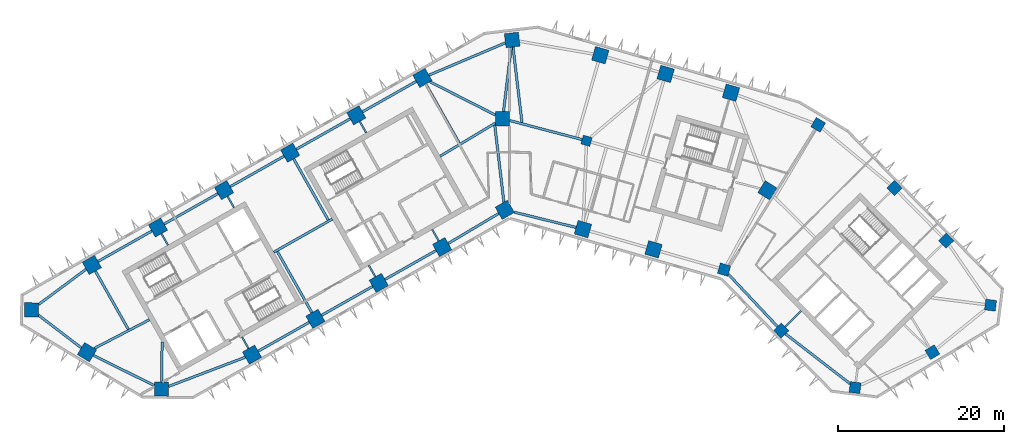
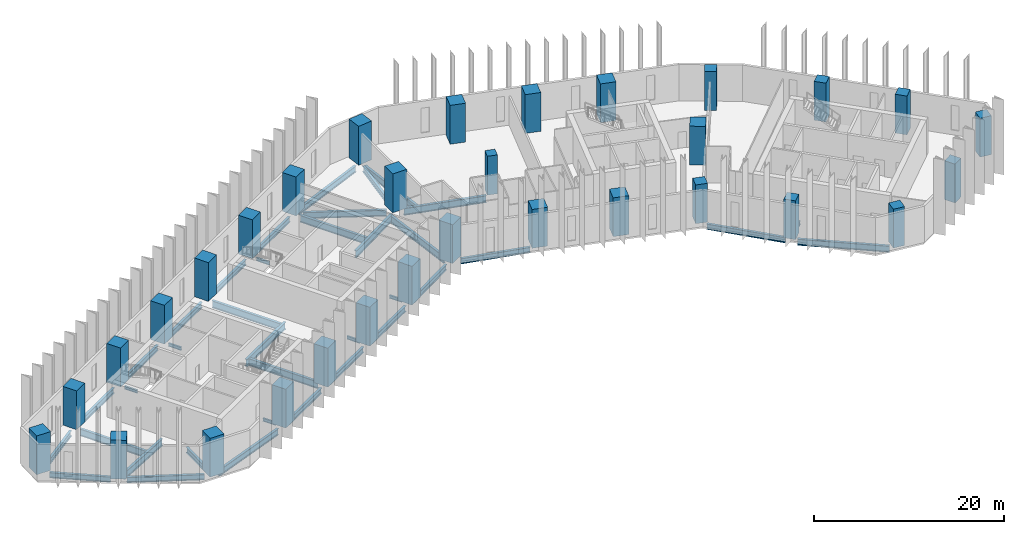
# One storey, part 1 of 11: 37 beams, 31 columns.
"""IFC4 building model written with IfcOpenShell, lengths in metres."""

from ifc_helpers import new_model, si_unit, direction, frame, origin, origin_2d, place, context, subcontext, project, spatial, rectangle, i_section, extrude, material, material_profile, profile_set, type_object, element, save


model = new_model("IFC4")

# Units and contexts
model_context = context("Model", 3, precision=1e-05, world=origin(), true_north=direction((0.0, 1.0)))
body_context = subcontext(model_context, "Body", "Model", "MODEL_VIEW")
ifc_project = project(units=[si_unit("LENGTHUNIT", "METRE"), si_unit("AREAUNIT", "SQUARE_METRE"), si_unit("VOLUMEUNIT", "CUBIC_METRE"), si_unit("PLANEANGLEUNIT", "RADIAN"), si_unit("MASSUNIT", "GRAM", prefix="KILO")], contexts=[model_context])

# Site, building, storey
site_placement = place(None, origin())
site = spatial("IfcSite", under=ifc_project, at=site_placement, CompositionType="ELEMENT")
building_placement = place(site_placement, origin())
building = spatial("IfcBuilding", under=site, at=building_placement, Name="Binnacle Exchange Tower", CompositionType="ELEMENT")
storey_placement = place(building_placement, frame((0.0, 0.0, 66.5)))
storey = spatial("IfcBuildingStorey", under=building, at=storey_placement, Name="L13", CompositionType="ELEMENT", Elevation=66.5)

# Columns
ifc_material_1 = material(Name="Concrete C60/75", Category="concrete")
ifc_material_profile_1 = material_profile(ifc_material_1, rectangle(XDim=1.10009765625, YDim=1.10009765625, at=origin_2d()), Name="Column 1100x1100 C60/75")
ifc_profile_set_1 = profile_set([ifc_material_profile_1], Name="Concrete C60/75")
column_type_1 = type_object("IfcColumnType", Name="Column 1100x1100 C60/75", PredefinedType="COLUMN", material=ifc_profile_set_1)
column_placement = place(storey_placement, frame((9.240966796875, 57.35009765625, 0.0), z_axis=(0.0, 0.0, 1.0), x_axis=(0.961261695938, -0.275637355817, 0.0)))
element("IfcColumn", 1, at=column_placement, inside=storey, type_object=column_type_1, Name="S:COL:C19:L13", PredefinedType="COLUMN", context=body_context, shape_type="SweptSolid", body=[
    extrude(rectangle(XDim=1.10009765625, YDim=1.10009765625, at=origin_2d()), origin(), (0.0, 0.0, 1.0), 5.0),
])
ifc_material_2 = material(Name="Concrete C70/85", Category="concrete")
ifc_material_profile_2 = material_profile(ifc_material_2, rectangle(XDim=1.300048828125, YDim=1.300048828125, at=origin_2d()), Name="Mega column 1300x1300 C70/85")
ifc_profile_set_2 = profile_set([ifc_material_profile_2], Name="Concrete C70/85")
column_type_2 = type_object("IfcColumnType", Name="Mega column 1300x1300 C70/85", PredefinedType="COLUMN", material=ifc_profile_set_2)
for number, where, z_axis, x_axis, name in (
    (2, (37.0849609375, 59.262451171875, 0.0), (0.0, 0.0, 1.0), (-0.859406411501, 0.511293086077, 0.0), "S:COL:MC57:L13"),
    (3, (25.766845703125, 41.85986328125, 0.0), (0.0, 0.0, 1.0), (0.961261695938, -0.275637355817, 0.0), "S:COL:MC56:L13"),
    (4, (32.64111328125, 34.530029296875, 0.0), (0.0, 0.0, 1.0), (0.7009092643, -0.713250449154, 0.0), "S:COL:MC59:L13"),
    (5, (41.519775390625, 27.6748046875, 0.0), (0.0, 0.0, 1.0), (0.99200494968, -0.126198969136, 0.0), "S:COL:MC61:L13"),
    (6, (50.81201171875, 31.930908203125, 0.0), (0.0, 0.0, 1.0), (0.857167300702, 0.51503807491, 0.0), "S:COL:MC63:L13"),
    (7, (57.799072265625, 37.5810546875, 0.0), (0.0, 0.0, 1.0), (0.126198969136, 0.99200494968, 0.0), "S:COL:MC62:L13"),
    (8, (52.466796875, 45.33935546875, 0.0), (0.0, 0.0, 1.0), (-0.7009092643, 0.713250449154, 0.0), "S:COL:MC60:L13"),
    (9, (46.248291015625, 51.667236328125, 0.0), (0.0, 0.0, 1.0), (-0.7009092643, 0.713250449154, 0.0), "S:COL:MC58:L13"),
):
    element("IfcColumn", number, at=place(storey_placement, frame(where, z_axis=z_axis, x_axis=x_axis)), inside=storey, type_object=column_type_2, Name=name, PredefinedType="COLUMN", context=body_context, shape_type="SweptSolid", body=[
        extrude(rectangle(XDim=1.300048828125, YDim=1.300048828125, at=origin_2d()), origin(), (0.0, 0.0, 1.0), 5.0),
    ])
ifc_material_profile_3 = material_profile(ifc_material_2, rectangle(XDim=1.699951171875, YDim=1.699951171875, at=origin_2d()), Name="Mega column 1700x1700 C70/85")
ifc_profile_set_3 = profile_set([ifc_material_profile_3], Name="Concrete C70/85")
column_type_3 = type_object("IfcColumnType", Name="Mega column 1700x1700 C70/85", PredefinedType="COLUMN", material=ifc_profile_set_3)
for number, where, z_axis, x_axis, name in (
    (10, (26.602783203125, 63.12353515625, 0.0), (0.0, 0.0, 1.0), (-0.961261695938, 0.275637355817, 0.0), "S:COL:MC52:L13"),
    (11, (18.746337890625, 65.376220703125, 0.0), (0.0, 0.0, 1.0), (-0.961261695938, 0.275637355817, 0.0), "S:COL:MC50:L13"),
    (12, (10.889892578125, 67.62890625, 0.0), (0.0, 0.0, 1.0), (-0.961261695938, 0.275637355817, 0.0), "S:COL:MC48:L13"),
    (13, (0.300048828125, 69.464111328125, 0.0), (0.0, 0.0, 1.0), (-0.993068456955, -0.117537397458, 0.0), "S:COL:MC47:L13"),
    (14, (-10.4951171875, 64.901611328125, 0.0), (0.0, 0.0, 1.0), (-0.87035569594, -0.492423560103, 0.0), "S:COL:MC38:L13"),
    (15, (-18.44140625, 60.406005859375, 0.0), (0.0, 0.0, 1.0), (-0.87035569594, -0.492423560103, 0.0), "S:COL:MC29:L13"),
    (16, (-26.3876953125, 55.91015625, 0.0), (0.0, 0.0, 1.0), (-0.87035569594, -0.492423560103, 0.0), "S:COL:MC21:L13"),
    (17, (-34.333740234375, 51.414306640625, 0.0), (0.0, 0.0, 1.0), (-0.87035569594, -0.492423560103, 0.0), "S:COL:MC13:L13"),
    (18, (-42.280029296875, 46.918701171875, 0.0), (0.0, 0.0, 1.0), (-0.87035569594, -0.492423560103, 0.0), "S:COL:MC08:L13"),
    (19, (-50.226318359375, 42.4228515625, 0.0), (0.0, 0.0, 1.0), (-0.87035569594, -0.492423560103, 0.0), "S:COL:MC04:L13"),
    (20, (-57.492919921875, 37.02734375, 0.0), (0.0, 0.0, 1.0), (-0.013089595571, -0.999914327574, 0.0), "S:COL:MC02:L13"),
    (21, (-50.81201171875, 31.930908203125, 0.0), (0.0, 0.0, 1.0), (0.857167300702, -0.51503807491, 0.0), "S:COL:MC01:L13"),
    (22, (-41.857666015625, 27.494873046875, 0.0), (0.0, 0.0, 1.0), (0.999914327574, -0.013089595571, 0.0), "S:COL:MC03:L13"),
    (23, (-30.9755859375, 31.63525390625, 0.0), (0.0, 0.0, 1.0), (0.87035569594, 0.492423560103, 0.0), "S:COL:MC07:L13"),
    (24, (-23.35595703125, 35.9462890625, 0.0), (0.0, 0.0, 1.0), (0.87035569594, 0.492423560103, 0.0), "S:COL:MC16:L13"),
    (25, (-15.736328125, 40.257080078125, 0.0), (0.0, 0.0, 1.0), (0.87035569594, 0.492423560103, 0.0), "S:COL:MC24:L13"),
    (26, (-8.116943359375, 44.568115234375, 0.0), (0.0, 0.0, 1.0), (0.87035569594, 0.492423560103, 0.0), "S:COL:MC35:L13"),
    (27, (-0.5908203125, 49.04443359375, 0.0), (0.0, 0.0, 1.0), (0.87035569594, 0.492423560103, 0.0), "S:COL:MC46:L13"),
    (28, (8.8095703125, 46.722412109375, 0.0), (0.0, 0.0, 1.0), (0.961261695938, -0.275637355817, 0.0), "S:COL:MC49:L13"),
    (29, (17.2880859375, 44.291015625, 0.0), (0.0, 0.0, 1.0), (0.961261695938, -0.275637355817, 0.0), "S:COL:MC51:L13"),
    (30, (30.989501953125, 51.38623046875, 0.0), (0.0, 0.0, 1.0), (0.529919264233, 0.848048096156, 0.0), "S:COL:MC55:L13"),
    (31, (-0.85009765625, 60.0, 0.0), (0.0, 0.0, 1.0), (0.0, 1.0, 0.0), "S:COL:MC45:L13"),
):
    element("IfcColumn", number, at=place(storey_placement, frame(where, z_axis=z_axis, x_axis=x_axis)), inside=storey, type_object=column_type_3, Name=name, PredefinedType="COLUMN", context=body_context, shape_type="SweptSolid", body=[
        extrude(rectangle(XDim=1.699951171875, YDim=1.699951171875, at=origin_2d()), origin(), (0.0, 0.0, 1.0), 5.0),
    ])

# Beams
ifc_material_3 = material(Name="Steel S355 (SHN355)", Category="steel")
ifc_material_profile_4 = material_profile(ifc_material_3, i_section(OverallWidth=0.300048828125, OverallDepth=0.699951171875, WebThickness=0.012939453125, FlangeThickness=0.02392578125, FilletRadius=0.028076171875, at=origin_2d()), Name="H 700x300x13x24")
ifc_profile_set_4 = profile_set([ifc_material_profile_4], Name="Steel S355 (SHN355)")
beam_type_1 = type_object("IfcBeamType", Name="Edge girder H 700x300x13x24 Steel S355 (SHN355)", PredefinedType="SPANDREL", material=ifc_profile_set_4)
beam_1_placement = place(storey_placement, frame((-56.6513671875, 36.38525390625, -0.669921875), z_axis=(0.795093040263, -0.606487474994, 0.0), x_axis=(0.606487474994, 0.795093040263, 0.0)))
element("IfcBeam", 32, at=beam_1_placement, inside=storey, type_object=beam_type_1, Name="S:BM:edge:L13:015", PredefinedType="SPANDREL", context=body_context, shape_type="SweptSolid", body=[
    extrude(i_section(OverallWidth=0.300048828125, OverallDepth=0.699951171875, WebThickness=0.012939453125, FlangeThickness=0.02392578125, FilletRadius=0.028076171875, at=origin_2d()), origin(), (0.0, 0.0, 1.0), 6.489013671875),
])
beam_2_placement = place(storey_placement, frame((-50.913818359375, 41.912353515625, -0.669921875), z_axis=(-0.80288535334, -0.59613346609, 0.0), x_axis=(0.59613346609, -0.80288535334, 0.0)))
element("IfcBeam", 33, at=beam_2_placement, inside=storey, type_object=beam_type_1, Name="S:BM:edge:L13:016", PredefinedType="SPANDREL", context=body_context, shape_type="SweptSolid", body=[
    extrude(i_section(OverallWidth=0.300048828125, OverallDepth=0.699951171875, WebThickness=0.012939453125, FlangeThickness=0.02392578125, FilletRadius=0.028076171875, at=origin_2d()), origin(), (0.0, 0.0, 1.0), 7.125244140625),
])
beam_3_placement = place(storey_placement, frame((-43.019775390625, 46.5, -0.669921875), z_axis=(-0.870364477798, -0.492408037898, 0.0), x_axis=(0.492408037898, -0.870364477798, 0.0)))
element("IfcBeam", 34, at=beam_3_placement, inside=storey, type_object=beam_type_1, Name="S:BM:edge:L13:018", PredefinedType="SPANDREL", context=body_context, shape_type="SweptSolid", body=[
    extrude(i_section(OverallWidth=0.300048828125, OverallDepth=0.699951171875, WebThickness=0.012939453125, FlangeThickness=0.02392578125, FilletRadius=0.028076171875, at=origin_2d()), origin(), (0.0, 0.0, 1.0), 7.4296875),
])
beam_4_placement = place(storey_placement, frame((-35.073486328125, 50.995849609375, -0.669921875), z_axis=(-0.870372444894, -0.492393955253, 0.0), x_axis=(0.492393955253, -0.870372444894, 0.0)))
element("IfcBeam", 35, at=beam_4_placement, inside=storey, type_object=beam_type_1, Name="S:BM:edge:L13:020", PredefinedType="SPANDREL", context=body_context, shape_type="SweptSolid", body=[
    extrude(i_section(OverallWidth=0.300048828125, OverallDepth=0.699951171875, WebThickness=0.012939453125, FlangeThickness=0.02392578125, FilletRadius=0.028076171875, at=origin_2d()), origin(), (0.0, 0.0, 1.0), 7.429931640625),
])
beam_5_placement = place(storey_placement, frame((-30.23583984375, 32.053955078125, -0.669921875), z_axis=(0.870373276953, 0.492392484473, 0.0), x_axis=(-0.492392484473, 0.870373276953, 0.0)))
element("IfcBeam", 36, at=beam_5_placement, inside=storey, type_object=beam_type_1, Name="S:BM:edge:L13:021", PredefinedType="SPANDREL", context=body_context, shape_type="SweptSolid", body=[
    extrude(i_section(OverallWidth=0.300048828125, OverallDepth=0.699951171875, WebThickness=0.012939453125, FlangeThickness=0.02392578125, FilletRadius=0.028076171875, at=origin_2d()), origin(), (0.0, 0.0, 1.0), 7.0546875),
])
beam_6_placement = place(storey_placement, frame((-27.12744140625, 55.49169921875, -0.669921875), z_axis=(-0.870350394687, -0.492432929919, 0.0), x_axis=(0.492432929919, -0.870350394687, 0.0)))
element("IfcBeam", 37, at=beam_6_placement, inside=storey, type_object=beam_type_1, Name="S:BM:edge:L13:022", PredefinedType="SPANDREL", context=body_context, shape_type="SweptSolid", body=[
    extrude(i_section(OverallWidth=0.300048828125, OverallDepth=0.699951171875, WebThickness=0.012939453125, FlangeThickness=0.02392578125, FilletRadius=0.028076171875, at=origin_2d()), origin(), (0.0, 0.0, 1.0), 7.429931640625),
])
beam_7_placement = place(storey_placement, frame((-22.6162109375, 36.36474609375, -0.669921875), z_axis=(0.870350053651, 0.492433532681, 0.0), x_axis=(-0.492433532681, 0.870350053651, 0.0)))
element("IfcBeam", 38, at=beam_7_placement, inside=storey, type_object=beam_type_1, Name="S:BM:edge:L13:023", PredefinedType="SPANDREL", context=body_context, shape_type="SweptSolid", body=[
    extrude(i_section(OverallWidth=0.300048828125, OverallDepth=0.699951171875, WebThickness=0.012939453125, FlangeThickness=0.02392578125, FilletRadius=0.028076171875, at=origin_2d()), origin(), (0.0, 0.0, 1.0), 7.054443359375),
])
beam_8_placement = place(storey_placement, frame((-19.18115234375, 59.9873046875, -0.669921875), z_axis=(-0.870364477798, -0.492408037898, 0.0), x_axis=(0.492408037898, -0.870364477798, 0.0)))
element("IfcBeam", 39, at=beam_8_placement, inside=storey, type_object=beam_type_1, Name="S:BM:edge:L13:024", PredefinedType="SPANDREL", context=body_context, shape_type="SweptSolid", body=[
    extrude(i_section(OverallWidth=0.300048828125, OverallDepth=0.699951171875, WebThickness=0.012939453125, FlangeThickness=0.02392578125, FilletRadius=0.028076171875, at=origin_2d()), origin(), (0.0, 0.0, 1.0), 7.4296875),
])
beam_9_placement = place(storey_placement, frame((-14.99658203125, 40.67578125, -0.669921875), z_axis=(0.870364886025, 0.492407316329, 0.0), x_axis=(-0.492407316329, 0.870364886025, 0.0)))
element("IfcBeam", 40, at=beam_9_placement, inside=storey, type_object=beam_type_1, Name="S:BM:edge:L13:025", PredefinedType="SPANDREL", context=body_context, shape_type="SweptSolid", body=[
    extrude(i_section(OverallWidth=0.300048828125, OverallDepth=0.699951171875, WebThickness=0.012939453125, FlangeThickness=0.02392578125, FilletRadius=0.028076171875, at=origin_2d()), origin(), (0.0, 0.0, 1.0), 7.054443359375),
])
beam_10_placement = place(storey_placement, frame((-11.23486328125, 64.483154296875, -0.669921875), z_axis=(-0.870364477798, -0.492408037898, 0.0), x_axis=(0.492408037898, -0.870364477798, 0.0)))
element("IfcBeam", 41, at=beam_10_placement, inside=storey, type_object=beam_type_1, Name="S:BM:edge:L13:026", PredefinedType="SPANDREL", context=body_context, shape_type="SweptSolid", body=[
    extrude(i_section(OverallWidth=0.300048828125, OverallDepth=0.699951171875, WebThickness=0.012939453125, FlangeThickness=0.02392578125, FilletRadius=0.028076171875, at=origin_2d()), origin(), (0.0, 0.0, 1.0), 7.4296875),
])
beam_11_placement = place(storey_placement, frame((-7.38623046875, 45.002685546875, -0.669921875), z_axis=(0.859464815262, 0.511194905419, 0.0), x_axis=(-0.511194905419, 0.859464815262, 0.0)))
element("IfcBeam", 42, at=beam_11_placement, inside=storey, type_object=beam_type_1, Name="S:BM:edge:L13:027", PredefinedType="SPANDREL", context=body_context, shape_type="SweptSolid", body=[
    extrude(i_section(OverallWidth=0.300048828125, OverallDepth=0.699951171875, WebThickness=0.012939453125, FlangeThickness=0.02392578125, FilletRadius=0.028076171875, at=origin_2d()), origin(), (0.0, 0.0, 1.0), 7.056396484375),
])
beam_12_placement = place(storey_placement, frame((0.54443359375, 48.763916015625, -0.669921875), z_axis=(0.970818997342, -0.239813415805, 0.0), x_axis=(0.239813415805, 0.970818997342, 0.0)))
element("IfcBeam", 43, at=beam_12_placement, inside=storey, type_object=beam_type_1, Name="S:BM:edge:L13:029", PredefinedType="SPANDREL", context=body_context, shape_type="SweptSolid", body=[
    extrude(i_section(OverallWidth=0.300048828125, OverallDepth=0.699951171875, WebThickness=0.012939453125, FlangeThickness=0.02392578125, FilletRadius=0.028076171875, at=origin_2d()), origin(), (0.0, 0.0, 1.0), 7.662841796875),
])
ifc_material_profile_5 = material_profile(ifc_material_3, i_section(OverallWidth=0.302001953125, OverallDepth=0.7080078125, WebThickness=0.014892578125, FlangeThickness=0.028076171875, FilletRadius=0.028076171875, at=origin_2d()), Name="H 708x302x15x28")
ifc_profile_set_5 = profile_set([ifc_material_profile_5], Name="Steel S355 (SHN355)")
beam_type_2 = type_object("IfcBeamType", Name="Edge girder H 708x302x15x28 Steel S355 (SHN355)", PredefinedType="SPANDREL", material=ifc_profile_set_5)
beam_13_placement = place(storey_placement, frame((-50.0478515625, 31.55224609375, -0.674072265625), z_axis=(0.896059216286, -0.443934545749, 0.0), x_axis=(0.443934545749, 0.896059216286, 0.0)))
element("IfcBeam", 44, at=beam_13_placement, inside=storey, type_object=beam_type_2, Name="S:BM:edge:L13:017", PredefinedType="SPANDREL", context=body_context, shape_type="SweptSolid", body=[
    extrude(i_section(OverallWidth=0.302001953125, OverallDepth=0.7080078125, WebThickness=0.014892578125, FlangeThickness=0.028076171875, FilletRadius=0.028076171875, at=origin_2d()), origin(), (0.0, 0.0, 1.0), 8.197509765625),
])
beam_14_placement = place(storey_placement, frame((26.284912109375, 41.3076171875, -0.674072265625), z_axis=(0.684056711164, -0.729428828544, 0.0), x_axis=(0.729428828544, 0.684056711164, 0.0)))
element("IfcBeam", 45, at=beam_14_placement, inside=storey, type_object=beam_type_2, Name="S:BM:edge:L13:035", PredefinedType="SPANDREL", context=body_context, shape_type="SweptSolid", body=[
    extrude(i_section(OverallWidth=0.302001953125, OverallDepth=0.7080078125, WebThickness=0.014892578125, FlangeThickness=0.028076171875, FilletRadius=0.028076171875, at=origin_2d()), origin(), (0.0, 0.0, 1.0), 8.6416015625),
])
ifc_material_profile_6 = material_profile(ifc_material_3, i_section(OverallWidth=0.302001953125, OverallDepth=0.80810546875, WebThickness=0.01611328125, FlangeThickness=0.030029296875, FilletRadius=0.028076171875, at=origin_2d()), Name="H 808x302x16x30")
ifc_profile_set_6 = profile_set([ifc_material_profile_6], Name="Steel S355 (SHN355)")
beam_type_3 = type_object("IfcBeamType", Name="Edge girder H 808x302x16x30 Steel S355 (SHN355)", PredefinedType="SPANDREL", material=ifc_profile_set_6)
beam_15_placement = place(storey_placement, frame((-41.00341796875, 27.81982421875, -0.72412109375), z_axis=(0.934628738252, 0.355624973297, 0.0), x_axis=(-0.355624973297, 0.934628738252, 0.0)))
element("IfcBeam", 46, at=beam_15_placement, inside=storey, type_object=beam_type_3, Name="S:BM:edge:L13:019", PredefinedType="SPANDREL", context=body_context, shape_type="SweptSolid", body=[
    extrude(i_section(OverallWidth=0.302001953125, OverallDepth=0.80810546875, WebThickness=0.01611328125, FlangeThickness=0.030029296875, FilletRadius=0.028076171875, at=origin_2d()), origin(), (0.0, 0.0, 1.0), 9.869384765625),
])
beam_16_placement = place(storey_placement, frame((-0.51513671875, 69.11962890625, -0.72412109375), z_axis=(-0.921111373297, -0.389299162578, 0.0), x_axis=(0.389299162578, -0.921111373297, 0.0)))
element("IfcBeam", 47, at=beam_16_placement, inside=storey, type_object=beam_type_3, Name="S:BM:edge:L13:028", PredefinedType="SPANDREL", context=body_context, shape_type="SweptSolid", body=[
    extrude(i_section(OverallWidth=0.302001953125, OverallDepth=0.80810546875, WebThickness=0.01611328125, FlangeThickness=0.030029296875, FilletRadius=0.028076171875, at=origin_2d()), origin(), (0.0, 0.0, 1.0), 9.978759765625),
])
beam_17_placement = place(storey_placement, frame((33.160400390625, 34.12890625, -0.72412109375), z_axis=(0.791533490776, -0.611125791454, 0.0), x_axis=(0.611125791454, 0.791533490776, 0.0)))
element("IfcBeam", 48, at=beam_17_placement, inside=storey, type_object=beam_type_3, Name="S:BM:edge:L13:036", PredefinedType="SPANDREL", context=body_context, shape_type="SweptSolid", body=[
    extrude(i_section(OverallWidth=0.302001953125, OverallDepth=0.80810546875, WebThickness=0.01611328125, FlangeThickness=0.030029296875, FilletRadius=0.028076171875, at=origin_2d()), origin(), (0.0, 0.0, 1.0), 9.80712890625),
])
ifc_material_profile_7 = material_profile(ifc_material_3, i_section(OverallWidth=0.199951171875, OverallDepth=0.39990234375, WebThickness=0.008056640625, FlangeThickness=0.012939453125, FilletRadius=0.01611328125, at=origin_2d()), Name="H 400x200x8x13")
ifc_profile_set_7 = profile_set([ifc_material_profile_7], Name="Steel S355 (SHN355)")
beam_type_4 = type_object("IfcBeamType", Name="Floor beam H 400x200x8x13 Steel S355 (SHN355)", PredefinedType="BEAM", material=ifc_profile_set_7)
beam_18_placement = place(storey_placement, frame((-41.861328125, 46.178955078125, -0.52001953125), z_axis=(0.492366981934, -0.870387703901, 0.0), x_axis=(0.870387703901, 0.492366981934, 0.0)))
element("IfcBeam", 49, at=beam_18_placement, inside=storey, type_object=beam_type_4, Name="S:BM:cross:L13:044", PredefinedType="BEAM", context=body_context, shape_type="SweptSolid", body=[
    extrude(i_section(OverallWidth=0.199951171875, OverallDepth=0.39990234375, WebThickness=0.008056640625, FlangeThickness=0.012939453125, FilletRadius=0.01611328125, at=origin_2d()), origin(), (0.0, 0.0, 1.0), 1.584228515625),
])
beam_19_placement = place(storey_placement, frame((-33.915283203125, 50.674560546875, -0.52001953125), z_axis=(0.492483715062, -0.870321659158, 0.0), x_axis=(0.870321659158, 0.492483715062, 0.0)))
element("IfcBeam", 50, at=beam_19_placement, inside=storey, type_object=beam_type_4, Name="S:BM:cross:L13:046", PredefinedType="BEAM", context=body_context, shape_type="SweptSolid", body=[
    extrude(i_section(OverallWidth=0.199951171875, OverallDepth=0.39990234375, WebThickness=0.008056640625, FlangeThickness=0.012939453125, FilletRadius=0.01611328125, at=origin_2d()), origin(), (0.0, 0.0, 1.0), 1.58447265625),
])
for number, where, z_axis, x_axis, name in (
    (51, (-31.394287109375, 32.375, -0.52001953125), (-0.492366981934, 0.870387703901, 0.0), (-0.870387703901, -0.492366981934, 0.0), "S:BM:cross:L13:047"),
    (52, (-18.022705078125, 59.666259765625, -0.52001953125), (0.492366981934, -0.870387703901, 0.0), (0.870387703901, 0.492366981934, 0.0), "S:BM:cross:L13:050"),
    (53, (-16.155029296875, 40.9970703125, -0.52001953125), (-0.492366981934, 0.870387703901, 0.0), (-0.870387703901, -0.492366981934, 0.0), "S:BM:cross:L13:051"),
):
    element("IfcBeam", number, at=place(storey_placement, frame(where, z_axis=z_axis, x_axis=x_axis)), inside=storey, type_object=beam_type_4, Name=name, PredefinedType="BEAM", context=body_context, shape_type="SweptSolid", body=[
        extrude(i_section(OverallWidth=0.199951171875, OverallDepth=0.39990234375, WebThickness=0.008056640625, FlangeThickness=0.012939453125, FilletRadius=0.01611328125, at=origin_2d()), origin(), (0.0, 0.0, 1.0), 1.584228515625),
    ])
beam_20_placement = place(storey_placement, frame((-8.535400390625, 45.307861328125, -0.52001953125), z_axis=(-0.492483715062, 0.870321659158, 0.0), x_axis=(-0.870321659158, -0.492483715062, 0.0)))
element("IfcBeam", 54, at=beam_20_placement, inside=storey, type_object=beam_type_4, Name="S:BM:cross:L13:053", PredefinedType="BEAM", context=body_context, shape_type="SweptSolid", body=[
    extrude(i_section(OverallWidth=0.199951171875, OverallDepth=0.39990234375, WebThickness=0.008056640625, FlangeThickness=0.012939453125, FilletRadius=0.01611328125, at=origin_2d()), origin(), (0.0, 0.0, 1.0), 1.58447265625),
])
ifc_material_profile_8 = material_profile(ifc_material_3, i_section(OverallWidth=0.199951171875, OverallDepth=0.449951171875, WebThickness=0.009033203125, FlangeThickness=0.013916015625, FilletRadius=0.01806640625, at=origin_2d()), Name="H 450x200x9x14")
ifc_profile_set_8 = profile_set([ifc_material_profile_8], Name="Steel S355 (SHN355)")
beam_type_5 = type_object("IfcBeamType", Name="Floor beam H 450x200x9x14 Steel S355 (SHN355)", PredefinedType="BEAM", material=ifc_profile_set_8)
beam_21_placement = place(storey_placement, frame((33.104736328125, 34.985595703125, -0.544921875), z_axis=(0.713254209224, 0.700905438004, 0.0), x_axis=(-0.700905438004, 0.713254209224, 0.0)))
element("IfcBeam", 55, at=beam_21_placement, inside=storey, type_object=beam_type_5, Name="S:BM:cross:L13:061", PredefinedType="BEAM", context=body_context, shape_type="SweptSolid", body=[
    extrude(i_section(OverallWidth=0.199951171875, OverallDepth=0.449951171875, WebThickness=0.009033203125, FlangeThickness=0.013916015625, FilletRadius=0.01806640625, at=origin_2d()), origin(), (0.0, 0.0, 1.0), 2.70849609375),
])
ifc_material_profile_9 = material_profile(ifc_material_3, i_section(OverallWidth=0.300048828125, OverallDepth=0.699951171875, WebThickness=0.012939453125, FlangeThickness=0.02392578125, FilletRadius=0.028076171875, at=origin_2d()), Name="H 700x300x13x24")
ifc_profile_set_9 = profile_set([ifc_material_profile_9], Name="Steel S355 (SHN355)")
beam_type_6 = type_object("IfcBeamType", Name="Floor beam H 700x300x13x24 Steel S355 (SHN355)", PredefinedType="BEAM", material=ifc_profile_set_9)
beam_22_placement = place(storey_placement, frame((-41.8466796875, 28.3447265625, -0.669921875), z_axis=(0.013120628196, 0.999913920853, 0.0), x_axis=(-0.999913920853, 0.013120628196, 0.0)))
element("IfcBeam", 56, at=beam_22_placement, inside=storey, type_object=beam_type_6, Name="S:BM:cross:L13:045", PredefinedType="BEAM", context=body_context, shape_type="SweptSolid", body=[
    extrude(i_section(OverallWidth=0.300048828125, OverallDepth=0.699951171875, WebThickness=0.012939453125, FlangeThickness=0.02392578125, FilletRadius=0.028076171875, at=origin_2d()), origin(), (0.0, 0.0, 1.0), 4.80078125),
])
ifc_material_profile_10 = material_profile(ifc_material_3, i_section(OverallWidth=0.300048828125, OverallDepth=0.89990234375, WebThickness=0.01611328125, FlangeThickness=0.028076171875, FilletRadius=0.028076171875, at=origin_2d()), Name="H 900x300x16x28")
ifc_profile_set_10 = profile_set([ifc_material_profile_10], Name="Steel S355 (SHN355)")
beam_type_7 = type_object("IfcBeamType", Name="Floor beam H 900x300x16x28 Steel S355 (SHN355)", PredefinedType="BEAM", material=ifc_profile_set_10)
beam_23_placement = place(storey_placement, frame((-49.8076171875, 41.68310546875, -0.77001953125), z_axis=(0.492423370769, -0.87035580306, 0.0), x_axis=(0.87035580306, 0.492423370769, 0.0)))
element("IfcBeam", 57, at=beam_23_placement, inside=storey, type_object=beam_type_7, Name="S:BM:cross:L13:043", PredefinedType="BEAM", context=body_context, shape_type="SweptSolid", body=[
    extrude(i_section(OverallWidth=0.300048828125, OverallDepth=0.89990234375, WebThickness=0.01611328125, FlangeThickness=0.028076171875, FilletRadius=0.028076171875, at=origin_2d()), origin(), (0.0, 0.0, 1.0), 8.041259765625),
])
beam_24_placement = place(storey_placement, frame((-10.076416015625, 64.161865234375, -0.77001953125), z_axis=(0.492410737926, -0.870362950254, 0.0), x_axis=(0.870362950254, 0.492410737926, 0.0)))
element("IfcBeam", 58, at=beam_24_placement, inside=storey, type_object=beam_type_7, Name="S:BM:cross:L13:052", PredefinedType="BEAM", context=body_context, shape_type="SweptSolid", body=[
    extrude(i_section(OverallWidth=0.300048828125, OverallDepth=0.89990234375, WebThickness=0.01611328125, FlangeThickness=0.028076171875, FilletRadius=0.028076171875, at=origin_2d()), origin(), (0.0, 0.0, 1.0), 8.16943359375),
])
ifc_material_profile_11 = material_profile(ifc_material_3, i_section(OverallWidth=0.302001953125, OverallDepth=0.912109375, WebThickness=0.01806640625, FlangeThickness=0.033935546875, FilletRadius=0.028076171875, at=origin_2d()), Name="H 912x302x18x34")
ifc_profile_set_11 = profile_set([ifc_material_profile_11], Name="Steel S355 (SHN355)")
beam_type_8 = type_object("IfcBeamType", Name="Floor beam H 912x302x18x34 Steel S355 (SHN355)", PredefinedType="BEAM", material=ifc_profile_set_11)
for number, where, z_axis, x_axis, name in (
    (59, (-25.968994140625, 55.17041015625, -0.77587890625), (0.492409177884, -0.870363832851, 0.0), (0.870363832851, 0.492409177884, 0.0), "S:BM:cross:L13:048"),
    (60, (-23.774658203125, 36.68603515625, -0.77587890625), (-0.492409177884, 0.870363832851, 0.0), (-0.870363832851, -0.492409177884, 0.0), "S:BM:cross:L13:049"),
):
    element("IfcBeam", number, at=place(storey_placement, frame(where, z_axis=z_axis, x_axis=x_axis)), inside=storey, type_object=beam_type_8, Name=name, PredefinedType="BEAM", context=body_context, shape_type="SweptSolid", body=[
        extrude(i_section(OverallWidth=0.302001953125, OverallDepth=0.912109375, WebThickness=0.01806640625, FlangeThickness=0.033935546875, FilletRadius=0.028076171875, at=origin_2d()), origin(), (0.0, 0.0, 1.0), 8.43408203125),
    ])
ifc_material_profile_12 = material_profile(ifc_material_3, i_section(OverallWidth=0.302978515625, OverallDepth=0.91796875, WebThickness=0.01904296875, FlangeThickness=0.037109375, FilletRadius=0.028076171875, at=origin_2d()), Name="H 918x303x19x37")
ifc_profile_set_12 = profile_set([ifc_material_profile_12], Name="Steel S355 (SHN355)")
beam_type_9 = type_object("IfcBeamType", Name="Floor beam H 918x303x19x37 Steel S355 (SHN355)", PredefinedType="BEAM", material=ifc_profile_set_12)
beam_25_placement = place(storey_placement, frame((-0.69921875, 49.959716796875, -0.779052734375), z_axis=(-0.117528717449, 0.993069484263, 0.0), x_axis=(-0.993069484263, -0.117528717449, 0.0)))
element("IfcBeam", 61, at=beam_25_placement, inside=storey, type_object=beam_type_9, Name="S:BM:cross:L13:054", PredefinedType="BEAM", context=body_context, shape_type="SweptSolid", body=[
    extrude(i_section(OverallWidth=0.302978515625, OverallDepth=0.91796875, WebThickness=0.01904296875, FlangeThickness=0.037109375, FilletRadius=0.028076171875, at=origin_2d()), origin(), (0.0, 0.0, 1.0), 9.374755859375),
])
beam_26_placement = place(storey_placement, frame((0.39990234375, 68.6201171875, -0.779052734375), z_axis=(0.117562643201, -0.993065468599, 0.0), x_axis=(0.993065468599, 0.117562643201, 0.0)))
element("IfcBeam", 62, at=beam_26_placement, inside=storey, type_object=beam_type_9, Name="S:BM:cross:L13:055", PredefinedType="BEAM", context=body_context, shape_type="SweptSolid", body=[
    extrude(i_section(OverallWidth=0.302978515625, OverallDepth=0.91796875, WebThickness=0.01904296875, FlangeThickness=0.037109375, FilletRadius=0.028076171875, at=origin_2d()), origin(), (0.0, 0.0, 1.0), 9.14990234375),
])
ifc_material_profile_13 = material_profile(ifc_material_3, i_section(OverallWidth=0.302001953125, OverallDepth=0.7080078125, WebThickness=0.014892578125, FlangeThickness=0.028076171875, FilletRadius=0.028076171875, at=origin_2d()), Name="H 708x302x15x28")
ifc_profile_set_13 = profile_set([ifc_material_profile_13], Name="Steel S355 (SHN355)")
beam_type_10 = type_object("IfcBeamType", Name="Spine girder H 708x302x15x28 Steel S355 (SHN355)", PredefinedType="BEAM", material=ifc_profile_set_13)
beam_27_placement = place(storey_placement, frame((-0.74658203125, 60.85009765625, -0.674072265625), z_axis=(0.120621974738, 0.992698513755, 0.0), x_axis=(-0.992698513755, 0.120621974738, 0.0)))
element("IfcBeam", 63, at=beam_27_placement, inside=storey, type_object=beam_type_10, Name="S:BM:spine:L13:005", PredefinedType="BEAM", context=body_context, shape_type="SweptSolid", body=[
    extrude(i_section(OverallWidth=0.302001953125, OverallDepth=0.7080078125, WebThickness=0.014892578125, FlangeThickness=0.028076171875, FilletRadius=0.028076171875, at=origin_2d()), origin(), (0.0, 0.0, 1.0), 7.802490234375),
])
ifc_material_profile_14 = material_profile(ifc_material_3, i_section(OverallWidth=0.302001953125, OverallDepth=0.80810546875, WebThickness=0.01611328125, FlangeThickness=0.030029296875, FilletRadius=0.028076171875, at=origin_2d()), Name="H 808x302x16x30")
ifc_profile_set_14 = profile_set([ifc_material_profile_14], Name="Steel S355 (SHN355)")
beam_type_11 = type_object("IfcBeamType", Name="Spine girder H 808x302x16x30 Steel S355 (SHN355)", PredefinedType="BEAM", material=ifc_profile_set_14)
beam_28_placement = place(storey_placement, frame((-1.699951171875, 60.431884765625, -0.72412109375), z_axis=(-0.891471296315, 0.45307717648, 0.0), x_axis=(-0.45307717648, -0.891471296315, 0.0)))
element("IfcBeam", 64, at=beam_28_placement, inside=storey, type_object=beam_type_11, Name="S:BM:spine:L13:004", PredefinedType="BEAM", context=body_context, shape_type="SweptSolid", body=[
    extrude(i_section(OverallWidth=0.302001953125, OverallDepth=0.80810546875, WebThickness=0.01611328125, FlangeThickness=0.030029296875, FilletRadius=0.028076171875, at=origin_2d()), origin(), (0.0, 0.0, 1.0), 8.845703125),
])
ifc_material_profile_15 = material_profile(ifc_material_3, i_section(OverallWidth=0.300048828125, OverallDepth=0.89990234375, WebThickness=0.01611328125, FlangeThickness=0.028076171875, FilletRadius=0.028076171875, at=origin_2d()), Name="H 900x300x16x28")
ifc_profile_set_15 = profile_set([ifc_material_profile_15], Name="Steel S355 (SHN355)")
beam_type_12 = type_object("IfcBeamType", Name="Spine girder H 900x300x16x28 Steel S355 (SHN355)", PredefinedType="BEAM", material=ifc_profile_set_15)
beam_29_placement = place(storey_placement, frame((-49.927734375, 32.391357421875, -0.77001953125), z_axis=(0.886979965344, 0.461807904954, 0.0), x_axis=(-0.461807904954, 0.886979965344, 0.0)))
element("IfcBeam", 65, at=beam_29_placement, inside=storey, type_object=beam_type_12, Name="S:BM:spine:L13:001", PredefinedType="BEAM", context=body_context, shape_type="SweptSolid", body=[
    extrude(i_section(OverallWidth=0.300048828125, OverallDepth=0.89990234375, WebThickness=0.01611328125, FlangeThickness=0.028076171875, FilletRadius=0.028076171875, at=origin_2d()), origin(), (0.0, 0.0, 1.0), 7.463623046875),
])
beam_30_placement = place(storey_placement, frame((-8.36328125, 55.489990234375, -0.77001953125), z_axis=(0.857393122678, 0.514662057261, 0.0), x_axis=(-0.514662057261, 0.857393122678, 0.0)))
element("IfcBeam", 66, at=beam_30_placement, inside=storey, type_object=beam_type_12, Name="S:BM:spine:L13:003", PredefinedType="BEAM", context=body_context, shape_type="SweptSolid", body=[
    extrude(i_section(OverallWidth=0.300048828125, OverallDepth=0.89990234375, WebThickness=0.01611328125, FlangeThickness=0.028076171875, FilletRadius=0.028076171875, at=origin_2d()), origin(), (0.0, 0.0, 1.0), 7.771728515625),
])
ifc_material_profile_16 = material_profile(ifc_material_3, i_section(OverallWidth=0.302001953125, OverallDepth=0.912109375, WebThickness=0.01806640625, FlangeThickness=0.033935546875, FilletRadius=0.028076171875, at=origin_2d()), Name="H 912x302x18x34")
ifc_profile_set_16 = profile_set([ifc_material_profile_16], Name="Steel S355 (SHN355)")
beam_type_13 = type_object("IfcBeamType", Name="Spine girder H 912x302x18x34 Steel S355 (SHN355)", PredefinedType="BEAM", material=ifc_profile_set_16)
beam_31_placement = place(storey_placement, frame((-28.365478515625, 43.951416015625, -0.77587890625), z_axis=(0.870350319004, 0.492433063684, 0.0), x_axis=(-0.492433063684, 0.870350319004, 0.0)))
element("IfcBeam", 67, at=beam_31_placement, inside=storey, type_object=beam_type_13, Name="S:BM:spine:L13:002", PredefinedType="BEAM", context=body_context, shape_type="SweptSolid", body=[
    extrude(i_section(OverallWidth=0.302001953125, OverallDepth=0.912109375, WebThickness=0.01806640625, FlangeThickness=0.033935546875, FilletRadius=0.028076171875, at=origin_2d()), origin(), (0.0, 0.0, 1.0), 8.0908203125),
])
ifc_material_profile_17 = material_profile(ifc_material_3, i_section(OverallWidth=0.302978515625, OverallDepth=0.91796875, WebThickness=0.01904296875, FlangeThickness=0.037109375, FilletRadius=0.028076171875, at=origin_2d()), Name="H 918x303x19x37")
ifc_profile_set_17 = profile_set([ifc_material_profile_17], Name="Steel S355 (SHN355)")
beam_type_14 = type_object("IfcBeamType", Name="Spine girder H 918x303x19x37 Steel S355 (SHN355)", PredefinedType="BEAM", material=ifc_profile_set_17)
beam_32_placement = place(storey_placement, frame((0.0, 59.77685546875, -0.779052734375), z_axis=(0.967208571477, -0.253983423202, 0.0), x_axis=(0.253983423202, 0.967208571477, 0.0)))
element("IfcBeam", 68, at=beam_32_placement, inside=storey, type_object=beam_type_14, Name="S:BM:spine:L13:006", PredefinedType="BEAM", context=body_context, shape_type="SweptSolid", body=[
    extrude(i_section(OverallWidth=0.302978515625, OverallDepth=0.91796875, WebThickness=0.01904296875, FlangeThickness=0.037109375, FilletRadius=0.028076171875, at=origin_2d()), origin(), (0.0, 0.0, 1.0), 9.00390625),
])

save(model, "model.ifc")
